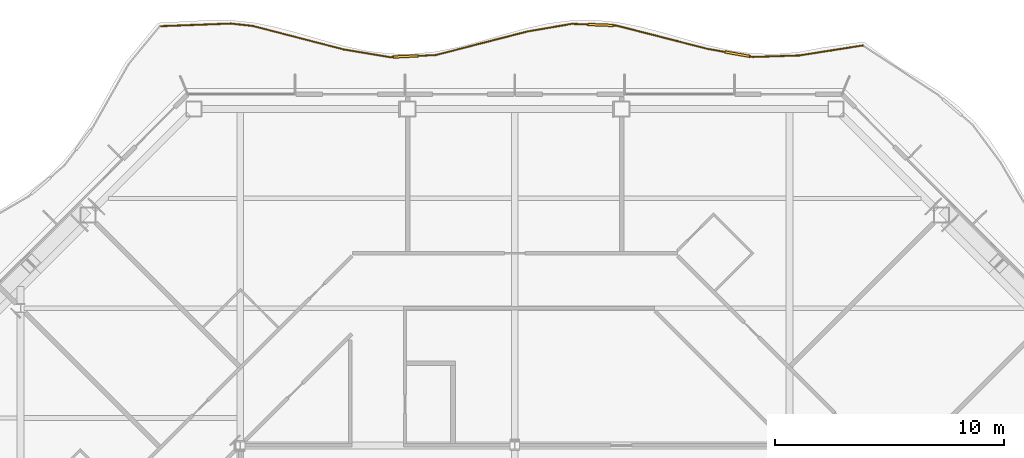
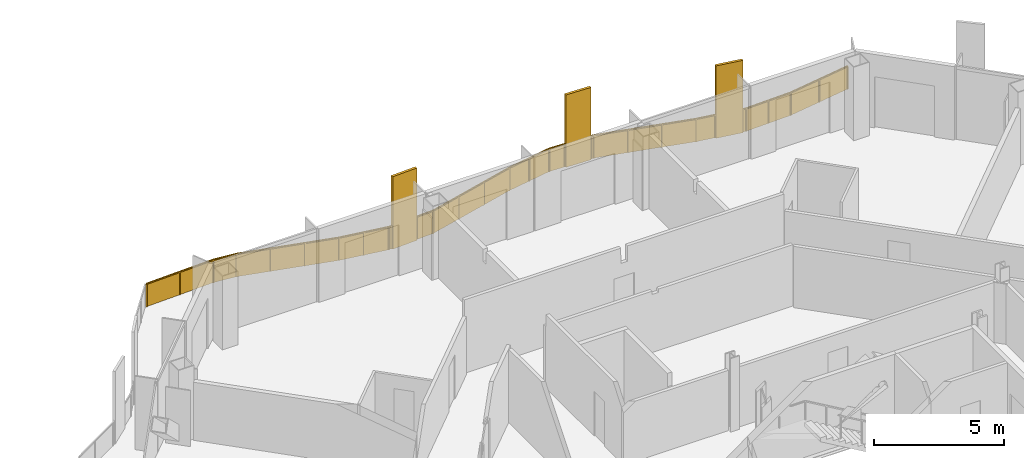
# One storey, part 20 of 21: 1 railing.
"""IFC4 building model written with IfcOpenShell, lengths in metres."""

from ifc_helpers import new_model, si_unit, direction, frame, origin, origin_2d, place, context, subcontext, project, spatial, polyline, rectangle, outline, extrude, material, type_object, element, save


model = new_model("IFC4")

# Units and contexts
model_context = context("Model", 3, precision=1e-05, world=origin(), true_north=direction((0.0, 1.0)))
body_context = subcontext(model_context, "Body", "Model", "MODEL_VIEW")
ifc_project = project(units=[si_unit("LENGTHUNIT", "METRE"), si_unit("AREAUNIT", "SQUARE_METRE"), si_unit("VOLUMEUNIT", "CUBIC_METRE"), si_unit("PLANEANGLEUNIT", "RADIAN"), si_unit("MASSUNIT", "GRAM", prefix="KILO")], contexts=[model_context])

# Site, building, storey
site_placement = place(None, origin())
site = spatial("IfcSite", under=ifc_project, at=site_placement, CompositionType="ELEMENT")
building_placement = place(site_placement, origin())
building = spatial("IfcBuilding", under=site, at=building_placement, Name="Cairn Pilgrim Tower", CompositionType="ELEMENT")
storey_placement = place(building_placement, frame((0.0, 0.0, 132.60009765625)))
storey = spatial("IfcBuildingStorey", under=building, at=storey_placement, Name="L32", CompositionType="ELEMENT", Elevation=132.60009765625)

# Railing
ifc_material = material(Name="Bronze anodised aluminium rail, posts and fin screens with laminated glass infill", Category="aluminium")
railing_type = type_object("IfcRailingType", Name="BALCONY GUARD WITH FIN SCREENS", PredefinedType="GUARDRAIL", material=ifc_material)
railing_placement = place(storey_placement, frame((22.41015625, 30.680908203125, 0.0)))
element("IfcRailing", 1, at=railing_placement, inside=storey, type_object=railing_type, Name="Balcony guard BGF-5 with fin screens", PredefinedType="GUARDRAIL", context=body_context, shape_type="SweptSolid", body=[
    extrude(rectangle(XDim=0.050048828125, YDim=0.050048828125, at=origin_2d()), frame((0.0, 0.0, 1.0751953125), z_axis=(-0.987887758286, -0.155170155084, 0.0), x_axis=(0.155170155084, -0.987887758286, 0.0)), (0.0, 0.0, 1.0), 2.81640625),
    extrude(rectangle(XDim=0.050048828125, YDim=0.050048828125, at=origin_2d()), frame((-2.7822265625, -0.43701171875, 1.0751953125), z_axis=(-0.999463203594, -0.032761328757, 0.0), x_axis=(0.032761328757, -0.999463203594, 0.0)), (0.0, 0.0, 1.0), 2.011962890625),
    extrude(rectangle(XDim=1.10009765625, YDim=0.110107421875, at=origin_2d()), frame((-5.482666015625, -0.380859375, 0.0), z_axis=(0.0, 0.0, 1.0), x_axis=(-0.984659127692, 0.174488974586, 0.0)), (0.0, 0.0, 1.0), 3.39990234375),
    extrude(rectangle(XDim=0.050048828125, YDim=0.050048828125, at=origin_2d()), frame((-4.793212890625, -0.5029296875, 1.0751953125), z_axis=(-0.984659127692, 0.174488974586, 0.0), x_axis=(-0.174488974586, -0.984659127692, 0.0)), (0.0, 0.0, 1.0), 0.150146484375),
    extrude(rectangle(XDim=0.050048828125, YDim=0.050048828125, at=origin_2d()), frame((-6.024169921875, -0.28466796875, 1.0751953125), z_axis=(-0.984659127692, 0.174488974586, 0.0), x_axis=(-0.174488974586, -0.984659127692, 0.0)), (0.0, 0.0, 1.0), 0.788330078125),
    extrude(rectangle(XDim=0.050048828125, YDim=0.050048828125, at=origin_2d()), frame((-6.800537109375, -0.147216796875, 1.0751953125), z_axis=(-0.968685954095, 0.248289190945, 0.0), x_axis=(-0.248289190945, -0.968685954095, 0.0)), (0.0, 0.0, 1.0), 4.090576171875),
    extrude(rectangle(XDim=1.10009765625, YDim=0.110107421875, at=origin_2d()), frame((-11.46240234375, 0.895751953125, 0.0), z_axis=(0.0, 0.0, 1.0), x_axis=(-0.999241503317, 0.03894121272, 0.0)), (0.0, 0.0, 1.0), 3.39990234375),
    extrude(rectangle(XDim=0.050048828125, YDim=0.050048828125, at=origin_2d()), frame((-10.762939453125, 0.868408203125, 1.0751953125), z_axis=(-0.999241503317, 0.03894121272, 0.0), x_axis=(-0.03894121272, -0.999241503317, 0.0)), (0.0, 0.0, 1.0), 0.150146484375),
    extrude(rectangle(XDim=0.050048828125, YDim=0.050048828125, at=origin_2d()), frame((-12.01220703125, 0.9169921875, 1.0751953125), z_axis=(-0.999241503317, 0.03894121272, 0.0), x_axis=(-0.03894121272, -0.999241503317, 0.0)), (0.0, 0.0, 1.0), 0.7060546875),
    extrude(rectangle(XDim=0.050048828125, YDim=0.050048828125, at=origin_2d()), frame((-12.717529296875, 0.944580078125, 1.0751953125), z_axis=(-0.985468599326, -0.169857704395, 0.0), x_axis=(0.169857704395, -0.985468599326, 0.0)), (0.0, 0.0, 1.0), 1.99365234375),
    extrude(rectangle(XDim=0.050048828125, YDim=0.050048828125, at=origin_2d()), frame((-14.68212890625, 0.60595703125, 1.0751953125), z_axis=(-0.968342172781, -0.249626593964, 0.0), x_axis=(0.249626593964, -0.968342172781, 0.0)), (0.0, 0.0, 1.0), 4.111572265625),
    extrude(rectangle(XDim=1.10009765625, YDim=0.110107421875, at=origin_2d()), frame((-19.982177734375, -0.479736328125, 0.0), z_axis=(0.0, 0.0, 1.0), x_axis=(-0.998988627992, -0.044963553492, 0.0)), (0.0, 0.0, 1.0), 3.39990234375),
    extrude(rectangle(XDim=0.050048828125, YDim=0.050048828125, at=origin_2d()), frame((-18.66357421875, -0.42041015625, 1.0751953125), z_axis=(-0.998988627992, -0.044963553492, 0.0), x_axis=(0.044963553492, -0.998988627992, 0.0)), (0.0, 0.0, 1.0), 0.769775390625),
    extrude(rectangle(XDim=0.050048828125, YDim=0.050048828125, at=origin_2d()), frame((-20.531494140625, -0.50439453125, 1.0751953125), z_axis=(-0.998988627992, -0.044963553492, 0.0), x_axis=(0.044963553492, -0.998988627992, 0.0)), (0.0, 0.0, 1.0), 0.14990234375),
    extrude(rectangle(XDim=0.050048828125, YDim=0.050048828125, at=origin_2d()), frame((-20.681396484375, -0.51123046875, 1.0751953125), z_axis=(-0.986296535237, 0.164982255347, 0.0), x_axis=(-0.164982255347, -0.986296535237, 0.0)), (0.0, 0.0, 1.0), 2.0361328125),
    extrude(rectangle(XDim=0.050048828125, YDim=0.050048828125, at=origin_2d()), frame((-22.689697265625, -0.17529296875, 1.0751953125), z_axis=(-0.968036542033, 0.250809196979, 0.0), x_axis=(-0.250809196979, -0.968036542033, 0.0)), (0.0, 0.0, 1.0), 4.09912109375),
    extrude(rectangle(XDim=0.050048828125, YDim=0.050048828125, at=origin_2d()), frame((-26.65771484375, 0.852783203125, 1.0751953125), z_axis=(-0.994317659029, 0.106453712678, 0.0), x_axis=(-0.106453712678, -0.994317659029, 0.0)), (0.0, 0.0, 1.0), 0.97705078125),
    extrude(rectangle(XDim=0.050048828125, YDim=0.050048828125, at=origin_2d()), frame((-27.629150390625, 0.956787109375, 1.0751953125), z_axis=(-0.999295771585, -0.037522804963, 0.0), x_axis=(0.037522804963, -0.999295771585, 0.0)), (0.0, 0.0, 1.0), 3.03857421875),
    extrude(rectangle(XDim=0.050048828125, YDim=0.050048828125, at=origin_2d()), origin(), (0.0, 0.0, 1.0), 1.050048828125),
    extrude(rectangle(XDim=0.050048828125, YDim=0.050048828125, at=origin_2d()), frame((-1.39111328125, -0.218505859375, 0.0)), (0.0, 0.0, 1.0), 1.050048828125),
    extrude(rectangle(XDim=0.050048828125, YDim=0.050048828125, at=origin_2d()), frame((-2.7822265625, -0.43701171875, 0.0)), (0.0, 0.0, 1.0), 1.050048828125),
    extrude(rectangle(XDim=0.050048828125, YDim=0.050048828125, at=origin_2d()), frame((-3.78759765625, -0.469970703125, 0.0)), (0.0, 0.0, 1.0), 1.050048828125),
    extrude(rectangle(XDim=0.050048828125, YDim=0.050048828125, at=origin_2d()), frame((-4.793212890625, -0.5029296875, 0.0)), (0.0, 0.0, 1.0), 1.050048828125),
    extrude(rectangle(XDim=0.050048828125, YDim=0.050048828125, at=origin_2d()), frame((-4.91650390625, -0.481201171875, 0.0)), (0.0, 0.0, 1.0), 1.050048828125),
    extrude(rectangle(XDim=0.050048828125, YDim=0.050048828125, at=origin_2d()), frame((-6.048828125, -0.280517578125, 0.0)), (0.0, 0.0, 1.0), 1.050048828125),
    extrude(rectangle(XDim=0.050048828125, YDim=0.050048828125, at=origin_2d()), frame((-6.800537109375, -0.147216796875, 0.0)), (0.0, 0.0, 1.0), 1.050048828125),
    extrude(rectangle(XDim=0.050048828125, YDim=0.050048828125, at=origin_2d()), frame((-8.121337890625, 0.19140625, 0.0)), (0.0, 0.0, 1.0), 1.050048828125),
    extrude(rectangle(XDim=0.050048828125, YDim=0.050048828125, at=origin_2d()), frame((-9.442138671875, 0.52978515625, 0.0)), (0.0, 0.0, 1.0), 1.050048828125),
    extrude(rectangle(XDim=0.050048828125, YDim=0.050048828125, at=origin_2d()), frame((-10.762939453125, 0.868408203125, 0.0)), (0.0, 0.0, 1.0), 1.050048828125),
    extrude(rectangle(XDim=0.050048828125, YDim=0.050048828125, at=origin_2d()), frame((-10.887939453125, 0.873291015625, 0.0)), (0.0, 0.0, 1.0), 1.050048828125),
    extrude(rectangle(XDim=0.050048828125, YDim=0.050048828125, at=origin_2d()), frame((-12.037109375, 0.91796875, 0.0)), (0.0, 0.0, 1.0), 1.050048828125),
    extrude(rectangle(XDim=0.050048828125, YDim=0.050048828125, at=origin_2d()), frame((-12.717529296875, 0.944580078125, 0.0)), (0.0, 0.0, 1.0), 1.050048828125),
    extrude(rectangle(XDim=0.050048828125, YDim=0.050048828125, at=origin_2d()), frame((-13.69970703125, 0.775390625, 0.0)), (0.0, 0.0, 1.0), 1.050048828125),
    extrude(rectangle(XDim=0.050048828125, YDim=0.050048828125, at=origin_2d()), frame((-14.68212890625, 0.60595703125, 0.0)), (0.0, 0.0, 1.0), 1.050048828125),
    extrude(rectangle(XDim=0.050048828125, YDim=0.050048828125, at=origin_2d()), frame((-16.00927734375, 0.263916015625, 0.0)), (0.0, 0.0, 1.0), 1.050048828125),
    extrude(rectangle(XDim=0.050048828125, YDim=0.050048828125, at=origin_2d()), frame((-17.33642578125, -0.078369140625, 0.0)), (0.0, 0.0, 1.0), 1.050048828125),
    extrude(rectangle(XDim=0.050048828125, YDim=0.050048828125, at=origin_2d()), frame((-18.66357421875, -0.42041015625, 0.0)), (0.0, 0.0, 1.0), 1.050048828125),
    extrude(rectangle(XDim=0.050048828125, YDim=0.050048828125, at=origin_2d()), frame((-19.40771484375, -0.453857421875, 0.0)), (0.0, 0.0, 1.0), 1.050048828125),
    extrude(rectangle(XDim=0.050048828125, YDim=0.050048828125, at=origin_2d()), frame((-20.556640625, -0.505615234375, 0.0)), (0.0, 0.0, 1.0), 1.050048828125),
    extrude(rectangle(XDim=0.050048828125, YDim=0.050048828125, at=origin_2d()), frame((-20.681396484375, -0.51123046875, 0.0)), (0.0, 0.0, 1.0), 1.050048828125),
    extrude(rectangle(XDim=0.050048828125, YDim=0.050048828125, at=origin_2d()), frame((-21.685546875, -0.34326171875, 0.0)), (0.0, 0.0, 1.0), 1.050048828125),
    extrude(rectangle(XDim=0.050048828125, YDim=0.050048828125, at=origin_2d()), frame((-22.689697265625, -0.17529296875, 0.0)), (0.0, 0.0, 1.0), 1.050048828125),
    extrude(rectangle(XDim=0.050048828125, YDim=0.050048828125, at=origin_2d()), frame((-24.012451171875, 0.16748046875, 0.0)), (0.0, 0.0, 1.0), 1.050048828125),
    extrude(rectangle(XDim=0.050048828125, YDim=0.050048828125, at=origin_2d()), frame((-25.3349609375, 0.510009765625, 0.0)), (0.0, 0.0, 1.0), 1.050048828125),
    extrude(rectangle(XDim=0.050048828125, YDim=0.050048828125, at=origin_2d()), frame((-26.65771484375, 0.852783203125, 0.0)), (0.0, 0.0, 1.0), 1.050048828125),
    extrude(rectangle(XDim=0.050048828125, YDim=0.050048828125, at=origin_2d()), frame((-27.629150390625, 0.956787109375, 0.0)), (0.0, 0.0, 1.0), 1.050048828125),
    extrude(rectangle(XDim=0.050048828125, YDim=0.050048828125, at=origin_2d()), frame((-29.1474609375, 0.89990234375, 0.0)), (0.0, 0.0, 1.0), 1.050048828125),
    extrude(rectangle(XDim=0.050048828125, YDim=0.050048828125, at=origin_2d()), frame((-30.66552734375, 0.8427734375, 0.0)), (0.0, 0.0, 1.0), 1.050048828125),
    extrude(outline(polyline([(0.02490234375, 0.0), (1.383056640625, 0.0), (1.383056640625, 1.050048828125), (0.02490234375, 1.050048828125), (0.02490234375, 0.0)])), frame((0.0009765625, -0.005859375, 0.0), z_axis=(-0.155170155084, 0.987887758286, 0.0), x_axis=(-0.987887758286, -0.155170155084, 0.0)), (0.0, 0.0, 1.0), 0.011962890625),
    extrude(outline(polyline([(0.02490234375, 0.0), (1.383056640625, 0.0), (1.383056640625, 1.050048828125), (0.02490234375, 1.050048828125), (0.02490234375, 0.0)])), frame((-1.39013671875, -0.224365234375, 0.0), z_axis=(-0.155170155084, 0.987887758286, 0.0), x_axis=(-0.987887758286, -0.155170155084, 0.0)), (0.0, 0.0, 1.0), 0.011962890625),
    extrude(outline(polyline([(0.02490234375, 0.0), (0.98095703125, 0.0), (0.98095703125, 1.050048828125), (0.02490234375, 1.050048828125), (0.02490234375, 0.0)])), frame((-2.781982421875, -0.44287109375, 0.0), z_axis=(-0.032761328757, 0.999463203594, 0.0), x_axis=(-0.999463203594, -0.032761328757, 0.0)), (0.0, 0.0, 1.0), 0.011962890625),
    extrude(outline(polyline([(0.02490234375, 0.0), (0.98095703125, 0.0), (0.98095703125, 1.050048828125), (0.02490234375, 1.050048828125), (0.02490234375, 0.0)])), frame((-3.78759765625, -0.475830078125, 0.0), z_axis=(-0.032761328757, 0.999463203594, 0.0), x_axis=(-0.999463203594, -0.032761328757, 0.0)), (0.0, 0.0, 1.0), 0.011962890625),
    extrude(outline(polyline([(0.02490234375, 0.0), (0.10009765625, 0.0), (0.10009765625, 1.050048828125), (0.02490234375, 1.050048828125), (0.02490234375, 0.0)])), frame((-4.794189453125, -0.5087890625, 0.0), z_axis=(0.174488974586, 0.984659127692, 0.0), x_axis=(-0.984659127692, 0.174488974586, 0.0)), (0.0, 0.0, 1.0), 0.011962890625),
    extrude(outline(polyline([(0.02490234375, 0.0), (0.73828125, 0.0), (0.73828125, 1.050048828125), (0.02490234375, 1.050048828125), (0.02490234375, 0.0)])), frame((-6.0498046875, -0.286376953125, 0.0), z_axis=(0.174488974586, 0.984659127692, 0.0), x_axis=(-0.984659127692, 0.174488974586, 0.0)), (0.0, 0.0, 1.0), 0.011962890625),
    extrude(outline(polyline([(0.02490234375, 0.0), (1.33837890625, 0.0), (1.33837890625, 1.050048828125), (0.02490234375, 1.050048828125), (0.02490234375, 0.0)])), frame((-6.802001953125, -0.153076171875, 0.0), z_axis=(0.248289190945, 0.968685954095, 0.0), x_axis=(-0.968685954095, 0.248289190945, 0.0)), (0.0, 0.0, 1.0), 0.011962890625),
    extrude(outline(polyline([(0.02490234375, 0.0), (1.33837890625, 0.0), (1.33837890625, 1.050048828125), (0.02490234375, 1.050048828125), (0.02490234375, 0.0)])), frame((-8.122802734375, 0.185546875, 0.0), z_axis=(0.248289190945, 0.968685954095, 0.0), x_axis=(-0.968685954095, 0.248289190945, 0.0)), (0.0, 0.0, 1.0), 0.011962890625),
    extrude(outline(polyline([(0.02490234375, 0.0), (1.33837890625, 0.0), (1.33837890625, 1.050048828125), (0.02490234375, 1.050048828125), (0.02490234375, 0.0)])), frame((-9.443603515625, 0.524169921875, 0.0), z_axis=(0.248289190945, 0.968685954095, 0.0), x_axis=(-0.968685954095, 0.248289190945, 0.0)), (0.0, 0.0, 1.0), 0.011962890625),
    extrude(outline(polyline([(0.02490234375, 0.0), (0.10009765625, 0.0), (0.10009765625, 1.050048828125), (0.02490234375, 1.050048828125), (0.02490234375, 0.0)])), frame((-10.76318359375, 0.862548828125, 0.0), z_axis=(0.03894121272, 0.999241503317, 0.0), x_axis=(-0.999241503317, 0.03894121272, 0.0)), (0.0, 0.0, 1.0), 0.011962890625),
    extrude(outline(polyline([(0.02490234375, 0.0), (0.656005859375, 0.0), (0.656005859375, 1.050048828125), (0.02490234375, 1.050048828125), (0.02490234375, 0.0)])), frame((-12.037353515625, 0.912109375, 0.0), z_axis=(0.03894121272, 0.999241503317, 0.0), x_axis=(-0.999241503317, 0.03894121272, 0.0)), (0.0, 0.0, 1.0), 0.011962890625),
    extrude(outline(polyline([(0.02490234375, 0.0), (0.9716796875, 0.0), (0.9716796875, 1.050048828125), (0.02490234375, 1.050048828125), (0.02490234375, 0.0)])), frame((-12.716552734375, 0.938720703125, 0.0), z_axis=(-0.169857704395, 0.985468599326, 0.0), x_axis=(-0.985468599326, -0.169857704395, 0.0)), (0.0, 0.0, 1.0), 0.011962890625),
    extrude(outline(polyline([(0.02490234375, 0.0), (0.9716796875, 0.0), (0.9716796875, 1.050048828125), (0.02490234375, 1.050048828125), (0.02490234375, 0.0)])), frame((-13.69873046875, 0.769287109375, 0.0), z_axis=(-0.169857704395, 0.985468599326, 0.0), x_axis=(-0.985468599326, -0.169857704395, 0.0)), (0.0, 0.0, 1.0), 0.011962890625),
    extrude(outline(polyline([(0.02490234375, 0.0), (1.345458984375, 0.0), (1.345458984375, 1.050048828125), (0.02490234375, 1.050048828125), (0.02490234375, 0.0)])), frame((-14.6806640625, 0.60009765625, 0.0), z_axis=(-0.249626593964, 0.968342172781, 0.0), x_axis=(-0.968342172781, -0.249626593964, 0.0)), (0.0, 0.0, 1.0), 0.011962890625),
    extrude(outline(polyline([(0.02490234375, 0.0), (1.345458984375, 0.0), (1.345458984375, 1.050048828125), (0.02490234375, 1.050048828125), (0.02490234375, 0.0)])), frame((-16.0078125, 0.258056640625, 0.0), z_axis=(-0.249626593964, 0.968342172781, 0.0), x_axis=(-0.968342172781, -0.249626593964, 0.0)), (0.0, 0.0, 1.0), 0.011962890625),
    extrude(outline(polyline([(0.02490234375, 0.0), (1.345458984375, 0.0), (1.345458984375, 1.050048828125), (0.02490234375, 1.050048828125), (0.02490234375, 0.0)])), frame((-17.3349609375, -0.083984375, 0.0), z_axis=(-0.249626593964, 0.968342172781, 0.0), x_axis=(-0.968342172781, -0.249626593964, 0.0)), (0.0, 0.0, 1.0), 0.011962890625),
    extrude(outline(polyline([(0.02490234375, 0.0), (0.7197265625, 0.0), (0.7197265625, 1.050048828125), (0.02490234375, 1.050048828125), (0.02490234375, 0.0)])), frame((-18.663330078125, -0.42626953125, 0.0), z_axis=(-0.044963553492, 0.998988627992, 0.0), x_axis=(-0.998988627992, -0.044963553492, 0.0)), (0.0, 0.0, 1.0), 0.011962890625),
    extrude(outline(polyline([(0.02490234375, 0.0), (0.099853515625, 0.0), (0.099853515625, 1.050048828125), (0.02490234375, 1.050048828125), (0.02490234375, 0.0)])), frame((-20.55615234375, -0.511474609375, 0.0), z_axis=(-0.044963553492, 0.998988627992, 0.0), x_axis=(-0.998988627992, -0.044963553492, 0.0)), (0.0, 0.0, 1.0), 0.011962890625),
    extrude(outline(polyline([(0.02490234375, 0.0), (0.9931640625, 0.0), (0.9931640625, 1.050048828125), (0.02490234375, 1.050048828125), (0.02490234375, 0.0)])), frame((-20.682373046875, -0.51708984375, 0.0), z_axis=(0.164982255347, 0.986296535237, 0.0), x_axis=(-0.986296535237, 0.164982255347, 0.0)), (0.0, 0.0, 1.0), 0.011962890625),
    extrude(outline(polyline([(0.02490234375, 0.0), (0.9931640625, 0.0), (0.9931640625, 1.050048828125), (0.02490234375, 1.050048828125), (0.02490234375, 0.0)])), frame((-21.6865234375, -0.34912109375, 0.0), z_axis=(0.164982255347, 0.986296535237, 0.0), x_axis=(-0.986296535237, 0.164982255347, 0.0)), (0.0, 0.0, 1.0), 0.011962890625),
    extrude(outline(polyline([(0.02490234375, 0.0), (1.34130859375, 0.0), (1.34130859375, 1.050048828125), (0.02490234375, 1.050048828125), (0.02490234375, 0.0)])), frame((-22.691162109375, -0.18115234375, 0.0), z_axis=(0.250809196979, 0.968036542033, 0.0), x_axis=(-0.968036542033, 0.250809196979, 0.0)), (0.0, 0.0, 1.0), 0.011962890625),
    extrude(outline(polyline([(0.02490234375, 0.0), (1.34130859375, 0.0), (1.34130859375, 1.050048828125), (0.02490234375, 1.050048828125), (0.02490234375, 0.0)])), frame((-24.013916015625, 0.16162109375, 0.0), z_axis=(0.250809196979, 0.968036542033, 0.0), x_axis=(-0.968036542033, 0.250809196979, 0.0)), (0.0, 0.0, 1.0), 0.011962890625),
    extrude(outline(polyline([(0.02490234375, 0.0), (1.34130859375, 0.0), (1.34130859375, 1.050048828125), (0.02490234375, 1.050048828125), (0.02490234375, 0.0)])), frame((-25.33642578125, 0.50439453125, 0.0), z_axis=(0.250809196979, 0.968036542033, 0.0), x_axis=(-0.968036542033, 0.250809196979, 0.0)), (0.0, 0.0, 1.0), 0.011962890625),
    extrude(outline(polyline([(0.02490234375, 0.0), (0.951904296875, 0.0), (0.951904296875, 1.050048828125), (0.02490234375, 1.050048828125), (0.02490234375, 0.0)])), frame((-26.658447265625, 0.846923828125, 0.0), z_axis=(0.106453712678, 0.994317659029, 0.0), x_axis=(-0.994317659029, 0.106453712678, 0.0)), (0.0, 0.0, 1.0), 0.011962890625),
    extrude(outline(polyline([(0.02490234375, 0.0), (1.494140625, 0.0), (1.494140625, 1.050048828125), (0.02490234375, 1.050048828125), (0.02490234375, 0.0)])), frame((-27.62890625, 0.950927734375, 0.0), z_axis=(-0.037522804963, 0.999295771585, 0.0), x_axis=(-0.999295771585, -0.037522804963, 0.0)), (0.0, 0.0, 1.0), 0.011962890625),
    extrude(outline(polyline([(0.02490234375, 0.0), (1.494140625, 0.0), (1.494140625, 1.050048828125), (0.02490234375, 1.050048828125), (0.02490234375, 0.0)])), frame((-29.147216796875, 0.893798828125, 0.0), z_axis=(-0.037522804963, 0.999295771585, 0.0), x_axis=(-0.999295771585, -0.037522804963, 0.0)), (0.0, 0.0, 1.0), 0.011962890625),
])

save(model, "model.ifc")
